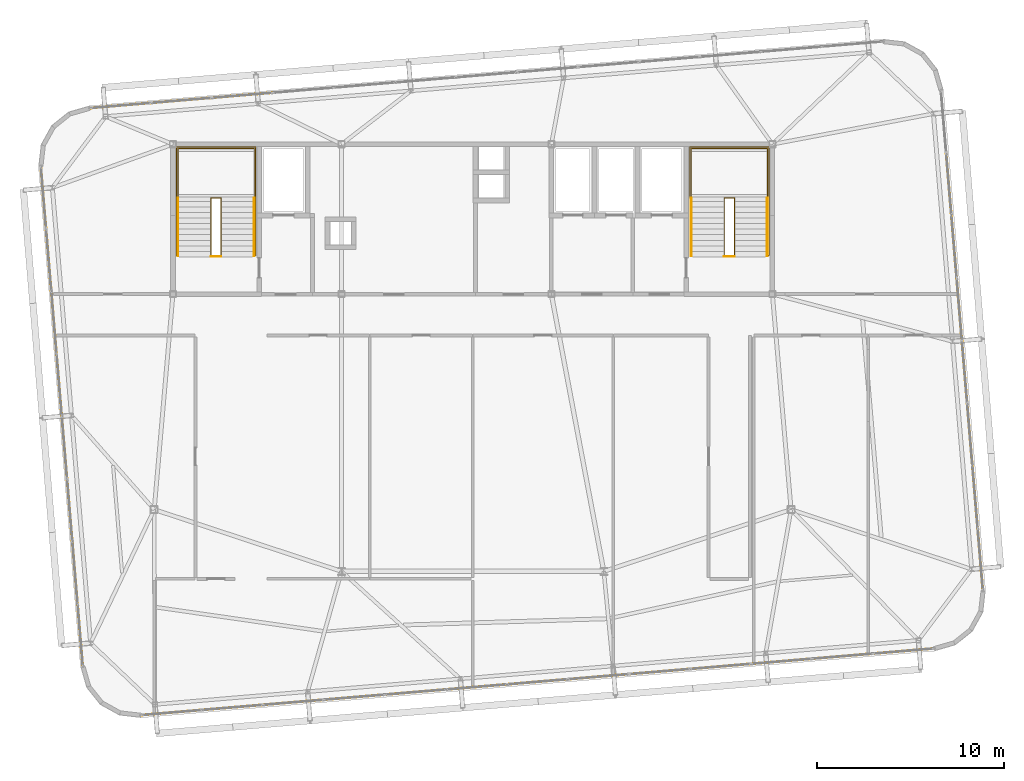
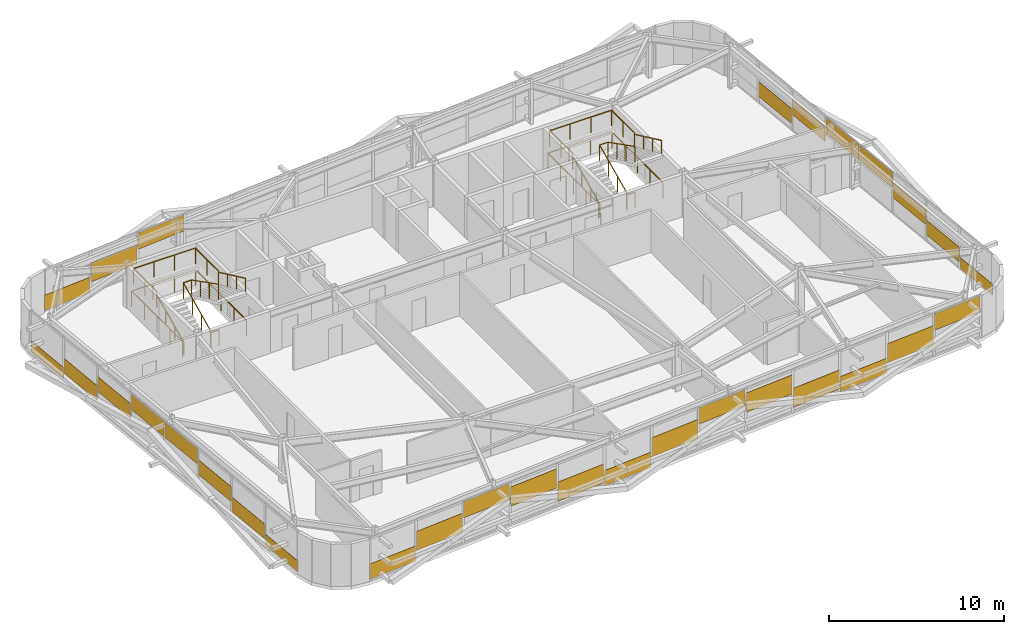
# One storey, part 45 of 46: 31 coverings, 12 railings.
"""IFC4 building model written with IfcOpenShell, lengths in metres."""

from ifc_helpers import new_model, si_unit, direction, frame, origin, origin_2d, place, context, subcontext, project, spatial, rectangle, extrude, source, transform, mapped, material, layer, layer_set, type_object, element, save


model = new_model("IFC4")

# Units and contexts
model_context = context("Model", 3, precision=1e-05, world=origin(), true_north=direction((0.0, 1.0)))
body_context = subcontext(model_context, "Body", "Model", "MODEL_VIEW")
ifc_project = project(units=[si_unit("LENGTHUNIT", "METRE"), si_unit("AREAUNIT", "SQUARE_METRE"), si_unit("VOLUMEUNIT", "CUBIC_METRE"), si_unit("PLANEANGLEUNIT", "RADIAN"), si_unit("MASSUNIT", "GRAM", prefix="KILO")], contexts=[model_context])

# Site, building, storey
site_placement = place(None, origin())
site = spatial("IfcSite", under=ifc_project, at=site_placement, CompositionType="ELEMENT")
building_placement = place(site_placement, origin())
building = spatial("IfcBuilding", under=site, at=building_placement, Name="Taldren Reach Tower", CompositionType="ELEMENT")
storey_placement = place(building_placement, frame((0.0, 0.0, 185.14990234375)))
storey = spatial("IfcBuildingStorey", under=building, at=storey_placement, Name="L56", CompositionType="ELEMENT", Elevation=185.14990234375)

# Railings
ifc_material_1 = material(Name="Steel Gr 350 (C350L0)", Category="steel")
ifc_layer_1 = layer(ifc_material_1, 0.050048828125)
ifc_layer_set_1 = layer_set([ifc_layer_1], Name="Steel Gr 350 (C350L0)")
railing_type_1 = type_object("IfcRailingType", Name="RL-STAIR-GR", PredefinedType="GUARDRAIL", material=ifc_layer_set_1)
railing_1_placement = place(storey_placement, frame((19.260009765625, 29.135009765625, 1.5751953125)))
element("IfcRailing", 1, at=railing_1_placement, inside=storey, type_object=railing_type_1, Name="Stair half-landing perimeter guard ST1-L56", PredefinedType="GUARDRAIL", context=body_context, shape_type="SweptSolid", body=[
    extrude(rectangle(XDim=0.047852, YDim=0.047852, at=origin_2d()), frame((0.0, 0.0, 1.09619140625), z_axis=(0.0, 1.0, 0.0), x_axis=(-1.0, 0.0, 0.0)), (0.0, 0.0, 1.0), 2.64501953125),
    extrude(rectangle(XDim=0.047852, YDim=0.047852, at=origin_2d()), frame((0.0, 2.64501953125, 1.09619140625), z_axis=(1.0, 0.0, 0.0), x_axis=(0.0, 1.0, 0.0)), (0.0, 0.0, 1.0), 4.080078125),
    extrude(rectangle(XDim=0.047852, YDim=0.047852, at=origin_2d()), frame((4.080078125, 2.64501953125, 1.09619140625), z_axis=(0.0, -1.0, 0.0), x_axis=(1.0, 0.0, 0.0)), (0.0, 0.0, 1.0), 2.64501953125),
    extrude(rectangle(XDim=0.041992, YDim=0.041992, at=origin_2d()), origin(), (0.0, 0.0, 1.0), 1.072021484375),
    extrude(rectangle(XDim=0.041992, YDim=0.041992, at=origin_2d()), frame((0.0, 1.322509765625, 0.0)), (0.0, 0.0, 1.0), 1.072021484375),
    extrude(rectangle(XDim=0.041992, YDim=0.041992, at=origin_2d()), frame((0.0, 2.64501953125, 0.0)), (0.0, 0.0, 1.0), 1.072021484375),
    extrude(rectangle(XDim=0.041992, YDim=0.041992, at=origin_2d()), frame((1.360107421875, 2.64501953125, 0.0)), (0.0, 0.0, 1.0), 1.072021484375),
    extrude(rectangle(XDim=0.041992, YDim=0.041992, at=origin_2d()), frame((2.719970703125, 2.64501953125, 0.0)), (0.0, 0.0, 1.0), 1.072021484375),
    extrude(rectangle(XDim=0.041992, YDim=0.041992, at=origin_2d()), frame((4.080078125, 2.64501953125, 0.0)), (0.0, 0.0, 1.0), 1.072021484375),
    extrude(rectangle(XDim=0.041992, YDim=0.041992, at=origin_2d()), frame((4.080078125, 1.322509765625, 0.0)), (0.0, 0.0, 1.0), 1.072021484375),
    extrude(rectangle(XDim=0.041992, YDim=0.041992, at=origin_2d()), frame((4.080078125, 0.0, 0.0)), (0.0, 0.0, 1.0), 1.072021484375),
])
railing_2_placement = place(storey_placement, frame((21.030029296875, 26.050048828125, 0.13134765625)))
element("IfcRailing", 2, at=railing_2_placement, inside=storey, type_object=railing_type_1, Name="Stairwell inner guard ST1-L56", PredefinedType="GUARDRAIL", context=body_context, shape_type="SweptSolid", body=[
    extrude(rectangle(XDim=0.047852, YDim=0.047852, at=origin_2d()), frame((0.0, 0.0, 1.09619140625), z_axis=(0.0, 0.905710134349, 0.423897573167), x_axis=(-1.0, 0.0, 0.0)), (0.0, 0.0, 1.0), 3.406005859375),
    extrude(rectangle(XDim=0.047852, YDim=0.047852, at=origin_2d()), frame((0.0, 3.0849609375, 2.5400390625), z_axis=(1.0, 0.0, 0.0), x_axis=(0.0, 1.0, 0.0)), (0.0, 0.0, 1.0), 0.5400390625),
    extrude(rectangle(XDim=0.047852, YDim=0.047852, at=origin_2d()), frame((0.5400390625, 3.0849609375, 2.5400390625), z_axis=(0.0, -0.890645957773, 0.45469745755), x_axis=(1.0, 0.0, 0.0)), (0.0, 0.0, 1.0), 3.463623046875),
    extrude(rectangle(XDim=0.041992, YDim=0.041992, at=origin_2d()), origin(), (0.0, 0.0, 1.0), 1.072021484375),
    extrude(rectangle(XDim=0.041992, YDim=0.041992, at=origin_2d()), frame((0.0, 1.0283203125, 0.481201171875)), (0.0, 0.0, 1.0), 1.072021484375),
    extrude(rectangle(XDim=0.041992, YDim=0.041992, at=origin_2d()), frame((0.0, 2.056640625, 0.962646484375)), (0.0, 0.0, 1.0), 1.072021484375),
    extrude(rectangle(XDim=0.041992, YDim=0.041992, at=origin_2d()), frame((0.0, 3.0849609375, 1.44384765625)), (0.0, 0.0, 1.0), 1.072021484375),
    extrude(rectangle(XDim=0.041992, YDim=0.041992, at=origin_2d()), frame((0.5400390625, 3.0849609375, 1.44384765625)), (0.0, 0.0, 1.0), 1.072021484375),
    extrude(rectangle(XDim=0.041992, YDim=0.041992, at=origin_2d()), frame((0.5400390625, 2.056640625, 1.96875)), (0.0, 0.0, 1.0), 1.072021484375),
    extrude(rectangle(XDim=0.041992, YDim=0.041992, at=origin_2d()), frame((0.5400390625, 1.0283203125, 2.493896484375)), (0.0, 0.0, 1.0), 1.072021484375),
    extrude(rectangle(XDim=0.041992, YDim=0.041992, at=origin_2d()), frame((0.5400390625, 0.0, 3.018798828125)), (0.0, 0.0, 1.0), 1.072021484375),
])
railing_3_placement = place(storey_placement, frame((21.030029296875, 26.010009765625, 0.0)))
element("IfcRailing", 3, at=railing_3_placement, inside=storey, type_object=railing_type_1, Name="Stairwell landing slot guard ST1-L56", PredefinedType="GUARDRAIL", context=body_context, shape_type="SweptSolid", body=[
    extrude(rectangle(XDim=0.047852, YDim=0.047852, at=origin_2d()), frame((0.0, 0.0, 1.09619140625), z_axis=(1.0, 0.0, 0.0), x_axis=(0.0, 1.0, 0.0)), (0.0, 0.0, 1.0), 0.5400390625),
    extrude(rectangle(XDim=0.041992, YDim=0.041992, at=origin_2d()), origin(), (0.0, 0.0, 1.0), 1.072021484375),
    extrude(rectangle(XDim=0.041992, YDim=0.041992, at=origin_2d()), frame((0.5400390625, 0.0, 0.0)), (0.0, 0.0, 1.0), 1.072021484375),
])
railing_4_placement = place(storey_placement, frame((19.18994140625, 26.050048828125, 0.0)))
element("IfcRailing", 4, at=railing_4_placement, inside=storey, type_object=railing_type_1, Name="Stairwell floor opening guard ST1-L56", PredefinedType="GUARDRAIL", context=body_context, shape_type="SweptSolid", body=[
    extrude(rectangle(XDim=0.047852, YDim=0.047852, at=origin_2d()), frame((0.0, 0.0, 1.09619140625), z_axis=(0.0, 1.0, 0.0), x_axis=(-1.0, 0.0, 0.0)), (0.0, 0.0, 1.0), 5.800048828125),
    extrude(rectangle(XDim=0.047852, YDim=0.047852, at=origin_2d()), frame((0.0, 5.800048828125, 1.09619140625), z_axis=(1.0, 0.0, 0.0), x_axis=(0.0, 1.0, 0.0)), (0.0, 0.0, 1.0), 4.219970703125),
    extrude(rectangle(XDim=0.047852, YDim=0.047852, at=origin_2d()), frame((4.219970703125, 5.800048828125, 1.09619140625), z_axis=(0.0, -1.0, 0.0), x_axis=(1.0, 0.0, 0.0)), (0.0, 0.0, 1.0), 5.800048828125),
    extrude(rectangle(XDim=0.041992, YDim=0.041992, at=origin_2d()), origin(), (0.0, 0.0, 1.0), 1.072021484375),
    extrude(rectangle(XDim=0.041992, YDim=0.041992, at=origin_2d()), frame((0.0, 1.449951171875, 0.0)), (0.0, 0.0, 1.0), 1.072021484375),
    extrude(rectangle(XDim=0.041992, YDim=0.041992, at=origin_2d()), frame((0.0, 2.89990234375, 0.0)), (0.0, 0.0, 1.0), 1.072021484375),
    extrude(rectangle(XDim=0.041992, YDim=0.041992, at=origin_2d()), frame((0.0, 4.35009765625, 0.0)), (0.0, 0.0, 1.0), 1.072021484375),
    extrude(rectangle(XDim=0.041992, YDim=0.041992, at=origin_2d()), frame((0.0, 5.800048828125, 0.0)), (0.0, 0.0, 1.0), 1.072021484375),
    extrude(rectangle(XDim=0.041992, YDim=0.041992, at=origin_2d()), frame((1.40673828125, 5.800048828125, 0.0)), (0.0, 0.0, 1.0), 1.072021484375),
    extrude(rectangle(XDim=0.041992, YDim=0.041992, at=origin_2d()), frame((2.813232421875, 5.800048828125, 0.0)), (0.0, 0.0, 1.0), 1.072021484375),
    extrude(rectangle(XDim=0.041992, YDim=0.041992, at=origin_2d()), frame((4.219970703125, 5.800048828125, 0.0)), (0.0, 0.0, 1.0), 1.072021484375),
    extrude(rectangle(XDim=0.041992, YDim=0.041992, at=origin_2d()), frame((4.219970703125, 4.35009765625, 0.0)), (0.0, 0.0, 1.0), 1.072021484375),
    extrude(rectangle(XDim=0.041992, YDim=0.041992, at=origin_2d()), frame((4.219970703125, 2.89990234375, 0.0)), (0.0, 0.0, 1.0), 1.072021484375),
    extrude(rectangle(XDim=0.041992, YDim=0.041992, at=origin_2d()), frame((4.219970703125, 1.449951171875, 0.0)), (0.0, 0.0, 1.0), 1.072021484375),
    extrude(rectangle(XDim=0.041992, YDim=0.041992, at=origin_2d()), frame((4.219970703125, 0.0, 0.0)), (0.0, 0.0, 1.0), 1.072021484375),
])
railing_5_placement = place(storey_placement, frame((46.659912109375, 29.135009765625, 1.5751953125)))
element("IfcRailing", 5, at=railing_5_placement, inside=storey, type_object=railing_type_1, Name="Stair half-landing perimeter guard ST2-L56", PredefinedType="GUARDRAIL", context=body_context, shape_type="SweptSolid", body=[
    extrude(rectangle(XDim=0.047852, YDim=0.047852, at=origin_2d()), frame((0.0, 0.0, 1.09619140625), z_axis=(0.0, 1.0, 0.0), x_axis=(-1.0, 0.0, 0.0)), (0.0, 0.0, 1.0), 2.64501953125),
    extrude(rectangle(XDim=0.047852, YDim=0.047852, at=origin_2d()), frame((0.0, 2.64501953125, 1.09619140625), z_axis=(1.0, 0.0, 0.0), x_axis=(0.0, 1.0, 0.0)), (0.0, 0.0, 1.0), 4.080078125),
    extrude(rectangle(XDim=0.047852, YDim=0.047852, at=origin_2d()), frame((4.080078125, 2.64501953125, 1.09619140625), z_axis=(0.0, -1.0, 0.0), x_axis=(1.0, 0.0, 0.0)), (0.0, 0.0, 1.0), 2.64501953125),
    extrude(rectangle(XDim=0.041992, YDim=0.041992, at=origin_2d()), origin(), (0.0, 0.0, 1.0), 1.072021484375),
    extrude(rectangle(XDim=0.041992, YDim=0.041992, at=origin_2d()), frame((0.0, 1.322509765625, 0.0)), (0.0, 0.0, 1.0), 1.072021484375),
    extrude(rectangle(XDim=0.041992, YDim=0.041992, at=origin_2d()), frame((0.0, 2.64501953125, 0.0)), (0.0, 0.0, 1.0), 1.072021484375),
    extrude(rectangle(XDim=0.041992, YDim=0.041992, at=origin_2d()), frame((1.360107421875, 2.64501953125, 0.0)), (0.0, 0.0, 1.0), 1.072021484375),
    extrude(rectangle(XDim=0.041992, YDim=0.041992, at=origin_2d()), frame((2.719970703125, 2.64501953125, 0.0)), (0.0, 0.0, 1.0), 1.072021484375),
    extrude(rectangle(XDim=0.041992, YDim=0.041992, at=origin_2d()), frame((4.080078125, 2.64501953125, 0.0)), (0.0, 0.0, 1.0), 1.072021484375),
    extrude(rectangle(XDim=0.041992, YDim=0.041992, at=origin_2d()), frame((4.080078125, 1.322509765625, 0.0)), (0.0, 0.0, 1.0), 1.072021484375),
    extrude(rectangle(XDim=0.041992, YDim=0.041992, at=origin_2d()), frame((4.080078125, 0.0, 0.0)), (0.0, 0.0, 1.0), 1.072021484375),
])
railing_6_placement = place(storey_placement, frame((48.429931640625, 26.050048828125, 0.13134765625)))
element("IfcRailing", 6, at=railing_6_placement, inside=storey, type_object=railing_type_1, Name="Stairwell inner guard ST2-L56", PredefinedType="GUARDRAIL", context=body_context, shape_type="SweptSolid", body=[
    extrude(rectangle(XDim=0.047852, YDim=0.047852, at=origin_2d()), frame((0.0, 0.0, 1.09619140625), z_axis=(0.0, 0.905710134349, 0.423897573167), x_axis=(-1.0, 0.0, 0.0)), (0.0, 0.0, 1.0), 3.406005859375),
    extrude(rectangle(XDim=0.047852, YDim=0.047852, at=origin_2d()), frame((0.0, 3.0849609375, 2.5400390625), z_axis=(1.0, 0.0, 0.0), x_axis=(0.0, 1.0, 0.0)), (0.0, 0.0, 1.0), 0.5400390625),
    extrude(rectangle(XDim=0.047852, YDim=0.047852, at=origin_2d()), frame((0.5400390625, 3.0849609375, 2.5400390625), z_axis=(0.0, -0.890645957773, 0.45469745755), x_axis=(1.0, 0.0, 0.0)), (0.0, 0.0, 1.0), 3.463623046875),
    extrude(rectangle(XDim=0.041992, YDim=0.041992, at=origin_2d()), origin(), (0.0, 0.0, 1.0), 1.072021484375),
    extrude(rectangle(XDim=0.041992, YDim=0.041992, at=origin_2d()), frame((0.0, 1.0283203125, 0.481201171875)), (0.0, 0.0, 1.0), 1.072021484375),
    extrude(rectangle(XDim=0.041992, YDim=0.041992, at=origin_2d()), frame((0.0, 2.056640625, 0.962646484375)), (0.0, 0.0, 1.0), 1.072021484375),
    extrude(rectangle(XDim=0.041992, YDim=0.041992, at=origin_2d()), frame((0.0, 3.0849609375, 1.44384765625)), (0.0, 0.0, 1.0), 1.072021484375),
    extrude(rectangle(XDim=0.041992, YDim=0.041992, at=origin_2d()), frame((0.5400390625, 3.0849609375, 1.44384765625)), (0.0, 0.0, 1.0), 1.072021484375),
    extrude(rectangle(XDim=0.041992, YDim=0.041992, at=origin_2d()), frame((0.5400390625, 2.056640625, 1.96875)), (0.0, 0.0, 1.0), 1.072021484375),
    extrude(rectangle(XDim=0.041992, YDim=0.041992, at=origin_2d()), frame((0.5400390625, 1.0283203125, 2.493896484375)), (0.0, 0.0, 1.0), 1.072021484375),
    extrude(rectangle(XDim=0.041992, YDim=0.041992, at=origin_2d()), frame((0.5400390625, 0.0, 3.018798828125)), (0.0, 0.0, 1.0), 1.072021484375),
])
railing_7_placement = place(storey_placement, frame((48.429931640625, 26.010009765625, 0.0)))
element("IfcRailing", 7, at=railing_7_placement, inside=storey, type_object=railing_type_1, Name="Stairwell landing slot guard ST2-L56", PredefinedType="GUARDRAIL", context=body_context, shape_type="SweptSolid", body=[
    extrude(rectangle(XDim=0.047852, YDim=0.047852, at=origin_2d()), frame((0.0, 0.0, 1.09619140625), z_axis=(1.0, 0.0, 0.0), x_axis=(0.0, 1.0, 0.0)), (0.0, 0.0, 1.0), 0.5400390625),
    extrude(rectangle(XDim=0.041992, YDim=0.041992, at=origin_2d()), origin(), (0.0, 0.0, 1.0), 1.072021484375),
    extrude(rectangle(XDim=0.041992, YDim=0.041992, at=origin_2d()), frame((0.5400390625, 0.0, 0.0)), (0.0, 0.0, 1.0), 1.072021484375),
])
railing_8_placement = place(storey_placement, frame((46.590087890625, 26.050048828125, 0.0)))
element("IfcRailing", 8, at=railing_8_placement, inside=storey, type_object=railing_type_1, Name="Stairwell floor opening guard ST2-L56", PredefinedType="GUARDRAIL", context=body_context, shape_type="SweptSolid", body=[
    extrude(rectangle(XDim=0.047852, YDim=0.047852, at=origin_2d()), frame((0.0, 0.0, 1.09619140625), z_axis=(0.0, 1.0, 0.0), x_axis=(-1.0, 0.0, 0.0)), (0.0, 0.0, 1.0), 5.800048828125),
    extrude(rectangle(XDim=0.047852, YDim=0.047852, at=origin_2d()), frame((0.0, 5.800048828125, 1.09619140625), z_axis=(1.0, 0.0, 0.0), x_axis=(0.0, 1.0, 0.0)), (0.0, 0.0, 1.0), 4.219970703125),
    extrude(rectangle(XDim=0.047852, YDim=0.047852, at=origin_2d()), frame((4.219970703125, 5.800048828125, 1.09619140625), z_axis=(0.0, -1.0, 0.0), x_axis=(1.0, 0.0, 0.0)), (0.0, 0.0, 1.0), 5.800048828125),
    extrude(rectangle(XDim=0.041992, YDim=0.041992, at=origin_2d()), origin(), (0.0, 0.0, 1.0), 1.072021484375),
    extrude(rectangle(XDim=0.041992, YDim=0.041992, at=origin_2d()), frame((0.0, 1.449951171875, 0.0)), (0.0, 0.0, 1.0), 1.072021484375),
    extrude(rectangle(XDim=0.041992, YDim=0.041992, at=origin_2d()), frame((0.0, 2.89990234375, 0.0)), (0.0, 0.0, 1.0), 1.072021484375),
    extrude(rectangle(XDim=0.041992, YDim=0.041992, at=origin_2d()), frame((0.0, 4.35009765625, 0.0)), (0.0, 0.0, 1.0), 1.072021484375),
    extrude(rectangle(XDim=0.041992, YDim=0.041992, at=origin_2d()), frame((0.0, 5.800048828125, 0.0)), (0.0, 0.0, 1.0), 1.072021484375),
    extrude(rectangle(XDim=0.041992, YDim=0.041992, at=origin_2d()), frame((1.40673828125, 5.800048828125, 0.0)), (0.0, 0.0, 1.0), 1.072021484375),
    extrude(rectangle(XDim=0.041992, YDim=0.041992, at=origin_2d()), frame((2.813232421875, 5.800048828125, 0.0)), (0.0, 0.0, 1.0), 1.072021484375),
    extrude(rectangle(XDim=0.041992, YDim=0.041992, at=origin_2d()), frame((4.219970703125, 5.800048828125, 0.0)), (0.0, 0.0, 1.0), 1.072021484375),
    extrude(rectangle(XDim=0.041992, YDim=0.041992, at=origin_2d()), frame((4.219970703125, 4.35009765625, 0.0)), (0.0, 0.0, 1.0), 1.072021484375),
    extrude(rectangle(XDim=0.041992, YDim=0.041992, at=origin_2d()), frame((4.219970703125, 2.89990234375, 0.0)), (0.0, 0.0, 1.0), 1.072021484375),
    extrude(rectangle(XDim=0.041992, YDim=0.041992, at=origin_2d()), frame((4.219970703125, 1.449951171875, 0.0)), (0.0, 0.0, 1.0), 1.072021484375),
    extrude(rectangle(XDim=0.041992, YDim=0.041992, at=origin_2d()), frame((4.219970703125, 0.0, 0.0)), (0.0, 0.0, 1.0), 1.072021484375),
])
ifc_material_2 = material(Name="Stainless Steel Gr 316", Category="steel")
ifc_layer_2 = layer(ifc_material_2, 0.048095703125)
ifc_layer_set_2 = layer_set([ifc_layer_2], Name="Stainless Steel Gr 316")
railing_type_2 = type_object("IfcRailingType", Name="RL-STAIR-HR", PredefinedType="HANDRAIL", material=ifc_layer_set_2)
railing_9_placement = place(storey_placement, frame((19.27001953125, 26.050048828125, 0.13134765625)))
element("IfcRailing", 9, at=railing_9_placement, inside=storey, type_object=railing_type_2, Name="Stair flight handrail ST1-L56-1", PredefinedType="HANDRAIL", context=body_context, shape_type="SweptSolid", body=[
    extrude(rectangle(XDim=0.047852, YDim=0.047852, at=origin_2d()), frame((0.0, 0.0, 0.89599609375), z_axis=(0.0, 0.905710134349, 0.423897573167), x_axis=(-1.0, 0.0, 0.0)), (0.0, 0.0, 1.0), 3.406005859375),
    extrude(rectangle(XDim=0.041992, YDim=0.041992, at=origin_2d()), origin(), (0.0, 0.0, 1.0), 0.871826171875),
    extrude(rectangle(XDim=0.041992, YDim=0.041992, at=origin_2d()), frame((0.0, 1.0283203125, 0.481201171875)), (0.0, 0.0, 1.0), 0.871826171875),
    extrude(rectangle(XDim=0.041992, YDim=0.041992, at=origin_2d()), frame((0.0, 2.056640625, 0.962646484375)), (0.0, 0.0, 1.0), 0.871826171875),
    extrude(rectangle(XDim=0.041992, YDim=0.041992, at=origin_2d()), frame((0.0, 3.0849609375, 1.44384765625)), (0.0, 0.0, 1.0), 0.871826171875),
])
railing_10_placement = place(storey_placement, frame((23.330078125, 29.135009765625, 1.706298828125)))
element("IfcRailing", 10, at=railing_10_placement, inside=storey, type_object=railing_type_2, Name="Stair flight handrail ST1-L56-2", PredefinedType="HANDRAIL", context=body_context, shape_type="SweptSolid", body=[
    extrude(rectangle(XDim=0.047852, YDim=0.047852, at=origin_2d()), frame((0.0, 0.0, 0.89599609375), z_axis=(0.0, -0.905710134349, 0.423897573167), x_axis=(1.0, 0.0, 0.0)), (0.0, 0.0, 1.0), 3.406005859375),
    extrude(rectangle(XDim=0.041992, YDim=0.041992, at=origin_2d()), origin(), (0.0, 0.0, 1.0), 0.871826171875),
    extrude(rectangle(XDim=0.041992, YDim=0.041992, at=origin_2d()), frame((0.0, -1.0283203125, 0.481201171875)), (0.0, 0.0, 1.0), 0.871826171875),
    extrude(rectangle(XDim=0.041992, YDim=0.041992, at=origin_2d()), frame((0.0, -2.056640625, 0.962646484375)), (0.0, 0.0, 1.0), 0.871826171875),
    extrude(rectangle(XDim=0.041992, YDim=0.041992, at=origin_2d()), frame((0.0, -3.0849609375, 1.44384765625)), (0.0, 0.0, 1.0), 0.871826171875),
])
railing_11_placement = place(storey_placement, frame((46.669921875, 26.050048828125, 0.13134765625)))
element("IfcRailing", 11, at=railing_11_placement, inside=storey, type_object=railing_type_2, Name="Stair flight handrail ST2-L56-1", PredefinedType="HANDRAIL", context=body_context, shape_type="SweptSolid", body=[
    extrude(rectangle(XDim=0.047852, YDim=0.047852, at=origin_2d()), frame((0.0, 0.0, 0.89599609375), z_axis=(0.0, 0.905710134349, 0.423897573167), x_axis=(-1.0, 0.0, 0.0)), (0.0, 0.0, 1.0), 3.406005859375),
    extrude(rectangle(XDim=0.041992, YDim=0.041992, at=origin_2d()), origin(), (0.0, 0.0, 1.0), 0.871826171875),
    extrude(rectangle(XDim=0.041992, YDim=0.041992, at=origin_2d()), frame((0.0, 1.0283203125, 0.481201171875)), (0.0, 0.0, 1.0), 0.871826171875),
    extrude(rectangle(XDim=0.041992, YDim=0.041992, at=origin_2d()), frame((0.0, 2.056640625, 0.962646484375)), (0.0, 0.0, 1.0), 0.871826171875),
    extrude(rectangle(XDim=0.041992, YDim=0.041992, at=origin_2d()), frame((0.0, 3.0849609375, 1.44384765625)), (0.0, 0.0, 1.0), 0.871826171875),
])
railing_12_placement = place(storey_placement, frame((50.72998046875, 29.135009765625, 1.706298828125)))
element("IfcRailing", 12, at=railing_12_placement, inside=storey, type_object=railing_type_2, Name="Stair flight handrail ST2-L56-2", PredefinedType="HANDRAIL", context=body_context, shape_type="SweptSolid", body=[
    extrude(rectangle(XDim=0.047852, YDim=0.047852, at=origin_2d()), frame((0.0, 0.0, 0.89599609375), z_axis=(0.0, -0.905710134349, 0.423897573167), x_axis=(1.0, 0.0, 0.0)), (0.0, 0.0, 1.0), 3.406005859375),
    extrude(rectangle(XDim=0.041992, YDim=0.041992, at=origin_2d()), origin(), (0.0, 0.0, 1.0), 0.871826171875),
    extrude(rectangle(XDim=0.041992, YDim=0.041992, at=origin_2d()), frame((0.0, -1.0283203125, 0.481201171875)), (0.0, 0.0, 1.0), 0.871826171875),
    extrude(rectangle(XDim=0.041992, YDim=0.041992, at=origin_2d()), frame((0.0, -2.056640625, 0.962646484375)), (0.0, 0.0, 1.0), 0.871826171875),
    extrude(rectangle(XDim=0.041992, YDim=0.041992, at=origin_2d()), frame((0.0, -3.0849609375, 1.44384765625)), (0.0, 0.0, 1.0), 0.871826171875),
])

# Coverings
ifc_material_3 = material(Name="Pale Champagne Fluoropolymer Aluminium Spandrel Cladding", Category="aluminium")
ifc_layer_3 = layer(ifc_material_3, 0.0439453125)
ifc_layer_set_3 = layer_set([ifc_layer_3], Name="Pale Champagne Fluoropolymer Aluminium Spandrel Cladding")
covering_type = type_object("IfcCoveringType", Name="CV-CLAD-044", PredefinedType="CLADDING", material=ifc_layer_set_3)
shared_shape_1 = source(origin(), body_context, "Body", "SweptSolid", [
    extrude(rectangle(XDim=3.164306640625, YDim=0.0439453125, at=origin_2d()), origin(), (0.0, 0.0, 1.0), 1.075927734375),
])
for number, where, z_axis, x_axis, name in (
    (13, (18.931396484375, 1.6572265625, 0.06005859375), (0.0, 0.0, 1.0), (0.996492854922, 0.083677894865, 0.0), "Diagrid closure cladding strip CW-5 panel 1.1 1"),
    (14, (16.210205078125, 34.06298828125, 0.06005859375), (0.0, 0.0, 1.0), (-0.99649285657, -0.083677875247, 0.0), "Diagrid closure cladding strip CW-5 panel 13.1 1"),
):
    element("IfcCovering", number, at=place(storey_placement, frame(where, z_axis=z_axis, x_axis=x_axis)), inside=storey, type_object=covering_type, Name=name, PredefinedType="CLADDING", context=body_context, shape_type="MappedRepresentation", body=[
        mapped(shared_shape_1, transform((0.0, 0.0, 0.0), scale=1.0)),
    ])
shared_shape_2 = source(origin(), body_context, "Body", "SweptSolid", [
    extrude(rectangle(XDim=3.19921875, YDim=0.0439453125, at=origin_2d()), origin(), (0.0, 0.0, 1.0), 1.3359375),
])
for number, where, z_axis, x_axis, name in (
    (15, (22.171875, 1.92919921875, 0.771240234375), (0.0, 0.0, 1.0), (0.996492854922, 0.083677894865, 0.0), "Diagrid closure cladding strip CW-5 panel 2.1 1"),
    (16, (28.687255859375, 2.476318359375, 1.250732421875), (0.0, 0.0, 1.0), (0.996492854922, 0.083677894865, 0.0), "Diagrid closure cladding strip CW-5 panel 4.1 1"),
    (17, (31.945068359375, 2.75, 0.279541015625), (0.0, 0.0, 1.0), (0.996492854922, 0.083677894865, 0.0), "Diagrid closure cladding strip CW-5 panel 5.1 1"),
    (18, (38.460693359375, 3.297119140625, 0.76708984375), (0.0, 0.0, 1.0), (0.996492854922, 0.083677894865, 0.0), "Diagrid closure cladding strip CW-5 panel 7.1 1"),
    (19, (44.97607421875, 3.84423828125, 1.2548828125), (0.0, 0.0, 1.0), (0.996492854922, 0.083677894865, 0.0), "Diagrid closure cladding strip CW-5 panel 9.1 1"),
    (20, (48.23388671875, 4.11767578125, 0.28369140625), (0.0, 0.0, 1.0), (0.996492854922, 0.083677894865, 0.0), "Diagrid closure cladding strip CW-5 panel 10.1 1"),
    (21, (54.74951171875, 4.664794921875, 0.762939453125), (0.0, 0.0, 1.0), (0.996492854922, 0.083677894865, 0.0), "Diagrid closure cladding strip CW-5 panel 12.1 1"),
    (22, (19.45068359375, 34.335205078125, 0.771240234375), (0.0, 0.0, 1.0), (-0.99649285657, -0.083677875247, 0.0), "Diagrid closure cladding strip CW-5 panel 12.1 1"),
):
    element("IfcCovering", number, at=place(storey_placement, frame(where, z_axis=z_axis, x_axis=x_axis)), inside=storey, type_object=covering_type, Name=name, PredefinedType="CLADDING", context=body_context, shape_type="MappedRepresentation", body=[
        mapped(shared_shape_2, transform((0.0, 0.0, 0.0), scale=1.0)),
    ])
shared_shape_3 = source(origin(), body_context, "Body", "SweptSolid", [
    extrude(rectangle(XDim=3.19921875, YDim=0.0439453125, at=origin_2d()), origin(), (0.0, 0.0, 1.0), 1.127685546875),
])
for number, where, z_axis, x_axis, name in (
    (23, (25.429443359375, 2.202880859375, 1.7421875), (0.0, 0.0, 1.0), (0.996492854922, 0.083677894865, 0.0), "Diagrid closure cladding strip CW-5 panel 3.1 1"),
    (24, (22.708251953125, 34.608642578125, 1.7421875), (0.0, 0.0, 1.0), (-0.99649285657, -0.083677875247, 0.0), "Diagrid closure cladding strip CW-5 panel 11.1 1"),
):
    element("IfcCovering", number, at=place(storey_placement, frame(where, z_axis=z_axis, x_axis=x_axis)), inside=storey, type_object=covering_type, Name=name, PredefinedType="CLADDING", context=body_context, shape_type="MappedRepresentation", body=[
        mapped(shared_shape_3, transform((0.0, 0.0, 0.0), scale=1.0)),
    ])
shared_shape_4 = source(origin(), body_context, "Body", "SweptSolid", [
    extrude(rectangle(XDim=3.19921875, YDim=0.0439453125, at=origin_2d()), origin(), (0.0, 0.0, 1.0), 1.07177734375),
])
covering_1_placement = place(storey_placement, frame((35.202880859375, 3.0234375, 0.06005859375), z_axis=(0.0, 0.0, 1.0), x_axis=(0.996492854922, 0.083677894865, 0.0)))
element("IfcCovering", 25, at=covering_1_placement, inside=storey, type_object=covering_type, Name="Diagrid closure cladding strip CW-5 panel 6.1 1", PredefinedType="CLADDING", context=body_context, shape_type="MappedRepresentation", body=[
    mapped(shared_shape_4, transform((0.0, 0.0, 0.0), scale=1.0)),
])
shared_shape_5 = source(origin(), body_context, "Body", "SweptSolid", [
    extrude(rectangle(XDim=3.19921875, YDim=0.0439453125, at=origin_2d()), origin(), (0.0, 0.0, 1.0), 1.1318359375),
])
covering_2_placement = place(storey_placement, frame((41.71826171875, 3.570556640625, 1.73828125), z_axis=(0.0, 0.0, 1.0), x_axis=(0.996492854922, 0.083677894865, 0.0)))
element("IfcCovering", 26, at=covering_2_placement, inside=storey, type_object=covering_type, Name="Diagrid closure cladding strip CW-5 panel 8.1 1", PredefinedType="CLADDING", context=body_context, shape_type="MappedRepresentation", body=[
    mapped(shared_shape_5, transform((0.0, 0.0, 0.0), scale=1.0)),
])
shared_shape_6 = source(origin(), body_context, "Body", "SweptSolid", [
    extrude(rectangle(XDim=3.19921875, YDim=0.0439453125, at=origin_2d()), origin(), (0.0, 0.0, 1.0), 1.067626953125),
])
covering_3_placement = place(storey_placement, frame((51.49169921875, 4.391357421875, 0.06005859375), z_axis=(0.0, 0.0, 1.0), x_axis=(0.996492854922, 0.083677894865, 0.0)))
element("IfcCovering", 27, at=covering_3_placement, inside=storey, type_object=covering_type, Name="Diagrid closure cladding strip CW-5 panel 11.1 1", PredefinedType="CLADDING", context=body_context, shape_type="MappedRepresentation", body=[
    mapped(shared_shape_6, transform((0.0, 0.0, 0.0), scale=1.0)),
])
shared_shape_7 = source(origin(), body_context, "Body", "SweptSolid", [
    extrude(rectangle(XDim=3.164306640625, YDim=0.0439453125, at=origin_2d()), origin(), (0.0, 0.0, 1.0), 1.135986328125),
])
covering_4_placement = place(storey_placement, frame((57.98974609375, 4.93701171875, 1.734375), z_axis=(0.0, 0.0, 1.0), x_axis=(0.996492854922, 0.083677894865, 0.0)))
element("IfcCovering", 28, at=covering_4_placement, inside=storey, type_object=covering_type, Name="Diagrid closure cladding strip CW-5 panel 13.1 1", PredefinedType="CLADDING", context=body_context, shape_type="MappedRepresentation", body=[
    mapped(shared_shape_7, transform((0.0, 0.0, 0.0), scale=1.0)),
])
shared_shape_8 = source(origin(), body_context, "Body", "SweptSolid", [
    extrude(rectangle(XDim=3.2451171875, YDim=0.0439453125, at=origin_2d()), origin(), (0.0, 0.0, 1.0), 0.769775390625),
])
for number, where, z_axis, x_axis, name in (
    (29, (12.094970703125, 29.14892578125, 0.06005859375), (0.0, 0.0, 1.0), (0.083677979808, -0.996492847789, 0.0), "Diagrid closure cladding strip CW-5 panel 1.1 1"),
    (30, (14.05419921875, 5.816162109375, 0.06005859375), (0.0, 0.0, 1.0), (0.083677979808, -0.996492847789, 0.0), "Diagrid closure cladding strip CW-5 panel 8.1 1"),
    (31, (62.105224609375, 9.85107421875, 0.06005859375), (0.0, 0.0, 1.0), (-0.083677979808, 0.996492847789, 0.0), "Diagrid closure cladding strip CW-5 panel 1.1 1"),
):
    element("IfcCovering", number, at=place(storey_placement, frame(where, z_axis=z_axis, x_axis=x_axis)), inside=storey, type_object=covering_type, Name=name, PredefinedType="CLADDING", context=body_context, shape_type="MappedRepresentation", body=[
        mapped(shared_shape_8, transform((0.0, 0.0, 0.0), scale=1.0)),
    ])
shared_shape_9 = source(origin(), body_context, "Body", "SweptSolid", [
    extrude(rectangle(XDim=3.280029296875, YDim=0.0439453125, at=origin_2d()), origin(), (0.0, 0.0, 1.0), 1.0302734375),
])
for number, where, z_axis, x_axis, name in (
    (32, (12.373779296875, 25.828125, 0.466796875), (0.0, 0.0, 1.0), (0.083677979808, -0.996492847789, 0.0), "Diagrid closure cladding strip CW-5 panel 2.1 1"),
    (33, (12.654052734375, 22.489990234375, 1.134033203125), (0.0, 0.0, 1.0), (0.083677979808, -0.996492847789, 0.0), "Diagrid closure cladding strip CW-5 panel 3.1 1"),
    (34, (13.4951171875, 12.47509765625, 1.134033203125), (0.0, 0.0, 1.0), (0.083677979808, -0.996492847789, 0.0), "Diagrid closure cladding strip CW-5 panel 6.1 1"),
    (35, (13.775390625, 9.136962890625, 0.466796875), (0.0, 0.0, 1.0), (0.083677979808, -0.996492847789, 0.0), "Diagrid closure cladding strip CW-5 panel 7.1 1"),
    (36, (61.826171875, 13.171875, 0.466796875), (0.0, 0.0, 1.0), (-0.083677979808, 0.996492847789, 0.0), "Diagrid closure cladding strip CW-5 panel 2.1 1"),
    (37, (61.5458984375, 16.510009765625, 1.134033203125), (0.0, 0.0, 1.0), (-0.083677979808, 0.996492847789, 0.0), "Diagrid closure cladding strip CW-5 panel 3.1 1"),
    (38, (60.705078125, 26.52490234375, 1.134033203125), (0.0, 0.0, 1.0), (-0.083677979808, 0.996492847789, 0.0), "Diagrid closure cladding strip CW-5 panel 6.1 1"),
    (39, (60.424560546875, 29.863037109375, 0.466796875), (0.0, 0.0, 1.0), (-0.083677979808, 0.996492847789, 0.0), "Diagrid closure cladding strip CW-5 panel 7.1 1"),
):
    element("IfcCovering", number, at=place(storey_placement, frame(where, z_axis=z_axis, x_axis=x_axis)), inside=storey, type_object=covering_type, Name=name, PredefinedType="CLADDING", context=body_context, shape_type="MappedRepresentation", body=[
        mapped(shared_shape_9, transform((0.0, 0.0, 0.0), scale=1.0)),
    ])
shared_shape_10 = source(origin(), body_context, "Body", "SweptSolid", [
    extrude(rectangle(XDim=3.280029296875, YDim=0.0439453125, at=origin_2d()), origin(), (0.0, 0.0, 1.0), 1.06884765625),
])
for number, where, z_axis, x_axis, name in (
    (40, (12.934326171875, 19.151611328125, 1.80126953125), (0.0, 0.0, 1.0), (0.083677979808, -0.996492847789, 0.0), "Diagrid closure cladding strip CW-5 panel 4.1 1"),
    (41, (13.214599609375, 15.8134765625, 1.80126953125), (0.0, 0.0, 1.0), (0.083677979808, -0.996492847789, 0.0), "Diagrid closure cladding strip CW-5 panel 5.1 1"),
    (42, (61.265625, 19.848388671875, 1.80126953125), (0.0, 0.0, 1.0), (-0.083677979808, 0.996492847789, 0.0), "Diagrid closure cladding strip CW-5 panel 4.1 1"),
    (43, (60.9853515625, 23.1865234375, 1.80126953125), (0.0, 0.0, 1.0), (-0.083677979808, 0.996492847789, 0.0), "Diagrid closure cladding strip CW-5 panel 5.1 1"),
):
    element("IfcCovering", number, at=place(storey_placement, frame(where, z_axis=z_axis, x_axis=x_axis)), inside=storey, type_object=covering_type, Name=name, PredefinedType="CLADDING", context=body_context, shape_type="MappedRepresentation", body=[
        mapped(shared_shape_10, transform((0.0, 0.0, 0.0), scale=1.0)),
    ])

save(model, "model.ifc")
